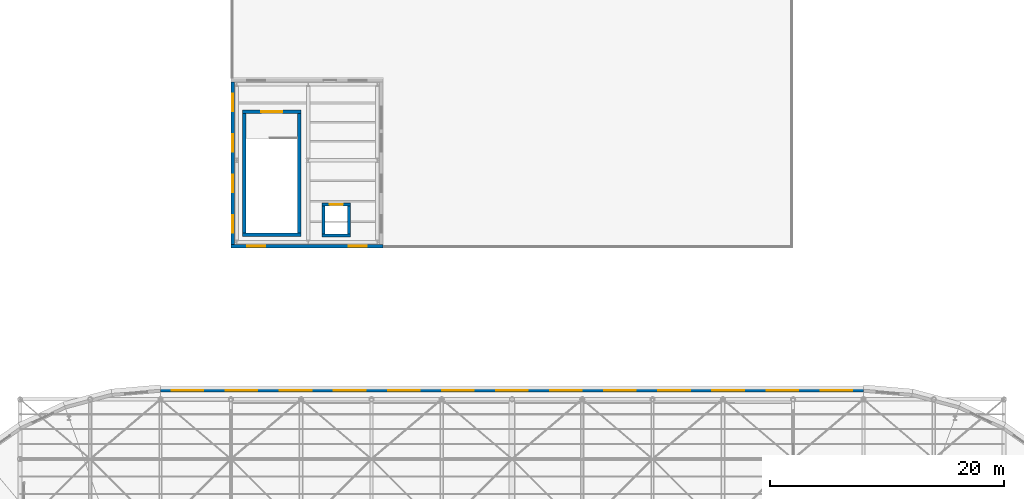
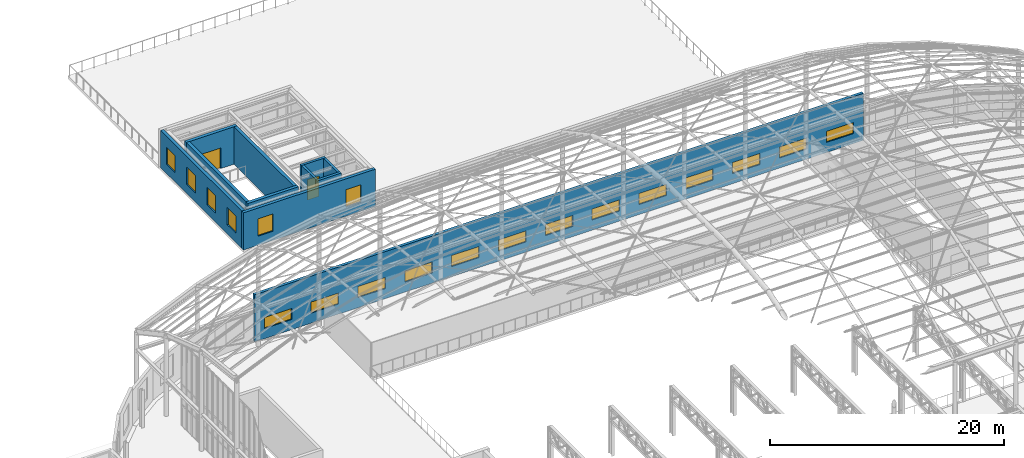
# One storey, part 65 of 75: 19 windows, 11 walls, 2 doors, 21 openings.
"""IFC4 building model written with IfcOpenShell, lengths in metres."""

from ifc_helpers import new_model, si_unit, direction, frame, frame_2d, origin, place, context, subcontext, project, spatial, rectangle, extrude, material, layer, layer_set, type_object, element, fill, save


model = new_model("IFC4")

# Units and contexts
model_context = context("Model", 3, precision=1e-05, world=origin(), true_north=direction((0.0, 1.0)))
body_context = subcontext(model_context, "Body", "Model", "MODEL_VIEW")
ifc_project = project(units=[si_unit("LENGTHUNIT", "METRE"), si_unit("AREAUNIT", "SQUARE_METRE"), si_unit("VOLUMEUNIT", "CUBIC_METRE"), si_unit("PLANEANGLEUNIT", "RADIAN"), si_unit("MASSUNIT", "GRAM", prefix="KILO")], contexts=[model_context])

# Site, building, storey
site_placement = place(None, origin())
site = spatial("IfcSite", under=ifc_project, at=site_placement, CompositionType="ELEMENT")
building_placement = place(site_placement, origin())
building = spatial("IfcBuilding", under=site, at=building_placement, Name="Kolvaren Corner Interchange", CompositionType="ELEMENT")
storey_placement = place(building_placement, frame((0.0, 0.0, 10.5)))
storey = spatial("IfcBuildingStorey", under=building, at=storey_placement, Name="L03", CompositionType="ELEMENT", Elevation=10.5)

# Wall
ifc_material_1 = material(Name="Concrete C35/45", Category="concrete")
ifc_layer_1 = layer(ifc_material_1, 0.31005859375)
ifc_layer_set_1 = layer_set([ifc_layer_1], Name="Concrete C35/45")
wall_type_1 = type_object("IfcWallType", Name="WL-STAIR-300", PredefinedType="SHEAR", material=ifc_layer_set_1)
wall_1_placement = place(storey_placement, frame((67.0, 85.155029296875, 0.0), z_axis=(0.0, 0.0, 1.0), x_axis=(1.0, 0.0, 0.0)))
element("IfcWall", 1, at=wall_1_placement, inside=storey, type_object=wall_type_1, Name="Cycle Hub West Pavilion Exit Stair L03 South Enclosure Wall", PredefinedType="SHEAR", context=body_context, shape_type="SweptSolid", body=[
    extrude(rectangle(XDim=5.0, YDim=0.31005859375, at=frame_2d((2.5, 0.0))), origin(), (0.0, 0.0, 1.0), 3.89990234375),
])

# Wall, opening, door
wall_2_placement = place(storey_placement, frame((67.0, 95.64501953125, 0.0), z_axis=(0.0, 0.0, 1.0), x_axis=(1.0, 0.0, 0.0)))
wall_2 = element("IfcWall", 2, at=wall_2_placement, inside=storey, type_object=wall_type_1, Name="Cycle Hub West Pavilion Exit Stair L03 North Enclosure Wall", PredefinedType="SHEAR", context=body_context, shape_type="SweptSolid", body=[
    extrude(rectangle(XDim=5.0, YDim=0.31005859375, at=frame_2d((2.5, 0.0))), origin(), (0.0, 0.0, 1.0), 3.89990234375),
])
opening_1_placement = place(wall_2_placement, frame((1.60009765625, 0.0, 0.0)))
opening_1 = element("IfcOpeningElement", 3, at=opening_1_placement, cuts=wall_2, Name="Opening D-F01", PredefinedType="OPENING", context=body_context, shape_type="SweptSolid", body=[
    extrude(rectangle(XDim=1.800048828125, YDim=2.14990234375, at=frame_2d((0.89990234375, 1.074951171875))), frame((0.0, 0.1650390625, 0.0), z_axis=(0.0, -1.0, 0.0), x_axis=(1.0, 0.0, 0.0)), (0.0, 0.0, 1.0), 0.330078125),
])
ifc_material_2 = material(Name="Powder-coated Fire-rated Steel Sheet", Category="steel")
door_type_1 = type_object("IfcDoorType", Name="DT-FD-1800x2150", OperationType="NOTDEFINED", PredefinedType="DOOR", material=ifc_material_2)
door_1_placement = place(opening_1_placement, origin())
door_1 = element("IfcDoor", 4, at=door_1_placement, inside=storey, type_object=door_type_1, Name="Cycle Hub West Pavilion Exit Stair L03 Protected Exit Door", OperationType="DOUBLE_DOOR_SINGLE_SWING", OverallHeight=2.14990234375, OverallWidth=1.800048828125, PredefinedType="DOOR", context=body_context, shape_type="SweptSolid", body=[
    extrude(rectangle(XDim=1.800048828125, YDim=2.14990234375, at=frame_2d((0.89990234375, 1.074951171875))), frame((0.0, 0.02490234375, 0.0), z_axis=(0.0, -1.0, 0.0), x_axis=(1.0, 0.0, 0.0)), (0.0, 0.0, 1.0), 0.050048828125),
])
fill(opening_1, door_1)

# Walls
for number, where, z_axis, x_axis, name in (
    (5, (67.155029296875, 85.31005859375, 0.0), (0.0, 0.0, 1.0), (0.0, 1.0, 0.0), "Cycle Hub West Pavilion Exit Stair L03 West Enclosure Wall"),
    (6, (71.844970703125, 85.31005859375, 0.0), (0.0, 0.0, 1.0), (0.0, 1.0, 0.0), "Cycle Hub West Pavilion Exit Stair L03 East Enclosure Wall"),
):
    element("IfcWall", number, at=place(storey_placement, frame(where, z_axis=z_axis, x_axis=x_axis)), inside=storey, type_object=wall_type_1, Name=name, PredefinedType="SHEAR", context=body_context, shape_type="SweptSolid", body=[
        extrude(rectangle(XDim=10.179931640625, YDim=0.31005859375, at=frame_2d((5.08984375, 0.0))), origin(), (0.0, 0.0, 1.0), 3.89990234375),
    ])

# Wall, openings, windows
ifc_material_3 = material(Name="Ochre Architectural Terracotta Rainscreen Assembly", Category="masonry")
ifc_layer_2 = layer(ifc_material_3, 0.300048828125)
ifc_layer_set_2 = layer_set([ifc_layer_2], Name="Ochre Architectural Terracotta Rainscreen Assembly")
wall_type_2 = type_object("IfcWallType", Name="WT-EXT-OCH300", PredefinedType="SOLIDWALL", material=ifc_layer_set_2)
wall_3_placement = place(storey_placement, frame((66.0, 84.159912109375, 0.0), z_axis=(0.0, 0.0, 1.0), x_axis=(1.0, 0.0, 0.0)))
wall_3 = element("IfcWall", 7, at=wall_3_placement, inside=storey, type_object=wall_type_2, Name="Cycle Roof Pavilion South Wall 0186", PredefinedType="SOLIDWALL", context=body_context, shape_type="SweptSolid", body=[
    extrude(rectangle(XDim=13.0, YDim=0.300048828125, at=frame_2d((6.5, 0.0))), origin(), (0.0, 0.0, 1.0), 3.8798828125),
])
opening_2_placement = place(wall_3_placement, frame((1.416748046875, 0.0, 0.949951171875)))
opening_2 = element("IfcOpeningElement", 8, at=opening_2_placement, cuts=wall_3, Name="Opening W-07", PredefinedType="OPENING", context=body_context, shape_type="SweptSolid", body=[
    extrude(rectangle(XDim=1.5, YDim=1.800048828125, at=frame_2d((0.75, 0.89990234375))), frame((0.0, 0.159912109375, 0.0), z_axis=(0.0, -1.0, 0.0), x_axis=(1.0, 0.0, 0.0)), (0.0, 0.0, 1.0), 0.320068359375),
])
opening_3_placement = place(wall_3_placement, frame((10.083251953125, 0.0, 0.949951171875)))
opening_3 = element("IfcOpeningElement", 9, at=opening_3_placement, cuts=wall_3, Name="Opening W-07", PredefinedType="OPENING", context=body_context, shape_type="SweptSolid", body=[
    extrude(rectangle(XDim=1.5, YDim=1.800048828125, at=frame_2d((0.75, 0.89990234375))), frame((0.0, 0.159912109375, 0.0), z_axis=(0.0, -1.0, 0.0), x_axis=(1.0, 0.0, 0.0)), (0.0, 0.0, 1.0), 0.320068359375),
])
ifc_material_4 = material(Name="Thermally Broken Aluminium and Solar-Control Double Glazing", Category="aluminium")
window_type_1 = type_object("IfcWindowType", Name="WT-CYC-1500x1800", PartitioningType="SINGLE_PANEL", PredefinedType="WINDOW", material=ifc_material_4)
window_1_placement = place(opening_2_placement, origin())
window_1 = element("IfcWindow", 10, at=window_1_placement, inside=storey, type_object=window_type_1, Name="L03 Cycle Roof Pavilion South Window 0293", OverallHeight=1.800048828125, OverallWidth=1.5, PartitioningType="SINGLE_PANEL", PredefinedType="WINDOW", context=body_context, shape_type="SweptSolid", body=[
    extrude(rectangle(XDim=1.5, YDim=1.800048828125, at=frame_2d((0.75, 0.89990234375))), frame((0.0, 0.030029296875, 0.0), z_axis=(0.0, -1.0, 0.0), x_axis=(1.0, 0.0, 0.0)), (0.0, 0.0, 1.0), 0.06005859375),
])
fill(opening_2, window_1)
window_2_placement = place(opening_3_placement, origin())
window_2 = element("IfcWindow", 11, at=window_2_placement, inside=storey, type_object=window_type_1, Name="L03 Cycle Roof Pavilion South Window 0294", OverallHeight=1.800048828125, OverallWidth=1.5, PartitioningType="SINGLE_PANEL", PredefinedType="WINDOW", context=body_context, shape_type="SweptSolid", body=[
    extrude(rectangle(XDim=1.5, YDim=1.800048828125, at=frame_2d((0.75, 0.89990234375))), frame((0.0, 0.030029296875, 0.0), z_axis=(0.0, -1.0, 0.0), x_axis=(1.0, 0.0, 0.0)), (0.0, 0.0, 1.0), 0.06005859375),
])
fill(opening_3, window_2)

wall_4_placement = place(storey_placement, frame((66.159912109375, 98.179931640625, 0.0), z_axis=(0.0, 0.0, 1.0), x_axis=(0.0, -1.0, 0.0)))
wall_4 = element("IfcWall", 12, at=wall_4_placement, inside=storey, type_object=wall_type_2, Name="Cycle Roof Pavilion West Wall 0189", PredefinedType="SOLIDWALL", context=body_context, shape_type="SweptSolid", body=[
    extrude(rectangle(XDim=13.85986328125, YDim=0.300048828125, at=frame_2d((6.929931640625, 0.0))), origin(), (0.0, 0.0, 1.0), 3.8798828125),
])
opening_4_placement = place(wall_4_placement, frame((0.982421875, 0.0, 0.949951171875)))
opening_4 = element("IfcOpeningElement", 13, at=opening_4_placement, cuts=wall_4, Name="Opening W-07", PredefinedType="OPENING", context=body_context, shape_type="SweptSolid", body=[
    extrude(rectangle(XDim=1.5, YDim=1.800048828125, at=frame_2d((0.75, 0.89990234375))), frame((0.0, 0.159912109375, 0.0), z_axis=(0.0, -1.0, 0.0), x_axis=(1.0, 0.0, 0.0)), (0.0, 0.0, 1.0), 0.320068359375),
])
opening_5_placement = place(wall_4_placement, frame((4.447509765625, 0.0, 0.949951171875)))
opening_5 = element("IfcOpeningElement", 14, at=opening_5_placement, cuts=wall_4, Name="Opening W-07", PredefinedType="OPENING", context=body_context, shape_type="SweptSolid", body=[
    extrude(rectangle(XDim=1.5, YDim=1.800048828125, at=frame_2d((0.75, 0.89990234375))), frame((0.0, 0.159912109375, 0.0), z_axis=(0.0, -1.0, 0.0), x_axis=(1.0, 0.0, 0.0)), (0.0, 0.0, 1.0), 0.320068359375),
])
opening_6_placement = place(wall_4_placement, frame((7.91259765625, 0.0, 0.949951171875)))
opening_6 = element("IfcOpeningElement", 15, at=opening_6_placement, cuts=wall_4, Name="Opening W-07", PredefinedType="OPENING", context=body_context, shape_type="SweptSolid", body=[
    extrude(rectangle(XDim=1.5, YDim=1.800048828125, at=frame_2d((0.75, 0.89990234375))), frame((0.0, 0.159912109375, 0.0), z_axis=(0.0, -1.0, 0.0), x_axis=(1.0, 0.0, 0.0)), (0.0, 0.0, 1.0), 0.320068359375),
])
opening_7_placement = place(wall_4_placement, frame((11.37744140625, 0.0, 0.949951171875)))
opening_7 = element("IfcOpeningElement", 16, at=opening_7_placement, cuts=wall_4, Name="Opening W-07", PredefinedType="OPENING", context=body_context, shape_type="SweptSolid", body=[
    extrude(rectangle(XDim=1.5, YDim=1.800048828125, at=frame_2d((0.75, 0.89990234375))), frame((0.0, 0.159912109375, 0.0), z_axis=(0.0, -1.0, 0.0), x_axis=(1.0, 0.0, 0.0)), (0.0, 0.0, 1.0), 0.320068359375),
])
window_3_placement = place(opening_4_placement, origin())
window_3 = element("IfcWindow", 17, at=window_3_placement, inside=storey, type_object=window_type_1, Name="L03 Cycle Roof Pavilion West Window 0300", OverallHeight=1.800048828125, OverallWidth=1.5, PartitioningType="SINGLE_PANEL", PredefinedType="WINDOW", context=body_context, shape_type="SweptSolid", body=[
    extrude(rectangle(XDim=1.5, YDim=1.800048828125, at=frame_2d((0.75, 0.89990234375))), frame((0.0, 0.030029296875, 0.0), z_axis=(0.0, -1.0, 0.0), x_axis=(1.0, 0.0, 0.0)), (0.0, 0.0, 1.0), 0.06005859375),
])
fill(opening_4, window_3)
window_4_placement = place(opening_5_placement, origin())
window_4 = element("IfcWindow", 18, at=window_4_placement, inside=storey, type_object=window_type_1, Name="L03 Cycle Roof Pavilion West Window 0301", OverallHeight=1.800048828125, OverallWidth=1.5, PartitioningType="SINGLE_PANEL", PredefinedType="WINDOW", context=body_context, shape_type="SweptSolid", body=[
    extrude(rectangle(XDim=1.5, YDim=1.800048828125, at=frame_2d((0.75, 0.89990234375))), frame((0.0, 0.030029296875, 0.0), z_axis=(0.0, -1.0, 0.0), x_axis=(1.0, 0.0, 0.0)), (0.0, 0.0, 1.0), 0.06005859375),
])
fill(opening_5, window_4)
window_5_placement = place(opening_6_placement, origin())
window_5 = element("IfcWindow", 19, at=window_5_placement, inside=storey, type_object=window_type_1, Name="L03 Cycle Roof Pavilion West Window 0302", OverallHeight=1.800048828125, OverallWidth=1.5, PartitioningType="SINGLE_PANEL", PredefinedType="WINDOW", context=body_context, shape_type="SweptSolid", body=[
    extrude(rectangle(XDim=1.5, YDim=1.800048828125, at=frame_2d((0.75, 0.89990234375))), frame((0.0, 0.030029296875, 0.0), z_axis=(0.0, -1.0, 0.0), x_axis=(1.0, 0.0, 0.0)), (0.0, 0.0, 1.0), 0.06005859375),
])
fill(opening_6, window_5)
window_6_placement = place(opening_7_placement, origin())
window_6 = element("IfcWindow", 20, at=window_6_placement, inside=storey, type_object=window_type_1, Name="L03 Cycle Roof Pavilion West Window 0303", OverallHeight=1.800048828125, OverallWidth=1.5, PartitioningType="SINGLE_PANEL", PredefinedType="WINDOW", context=body_context, shape_type="SweptSolid", body=[
    extrude(rectangle(XDim=1.5, YDim=1.800048828125, at=frame_2d((0.75, 0.89990234375))), frame((0.0, 0.030029296875, 0.0), z_axis=(0.0, -1.0, 0.0), x_axis=(1.0, 0.0, 0.0)), (0.0, 0.0, 1.0), 0.06005859375),
])
fill(opening_7, window_6)

ifc_material_5 = material(Name="White Glazed Ceramic Terracotta Band Assembly", Category="masonry")
ifc_layer_3 = layer(ifc_material_5, 0.280029296875)
ifc_layer_set_3 = layer_set([ifc_layer_3], Name="White Glazed Ceramic Terracotta Band Assembly")
wall_type_3 = type_object("IfcWallType", Name="WT-EXT-WHT280", PredefinedType="SOLIDWALL", material=ifc_layer_set_3)
wall_5_placement = place(storey_placement, frame((120.0, 71.840087890625, 0.0), z_axis=(0.0, 0.0, 1.0), x_axis=(-1.0, 0.0, 0.0)))
wall_5 = element("IfcWall", 21, at=wall_5_placement, inside=storey, type_object=wall_type_3, Name="Sky Gallery North Clerestory Wall 0167", PredefinedType="SOLIDWALL", context=body_context, shape_type="SweptSolid", body=[
    extrude(rectangle(XDim=60.0, YDim=0.280029296875, at=frame_2d((30.0, 0.0))), origin(), (0.0, 0.0, 1.0), 4.89990234375),
])
opening_8_placement = place(wall_5_placement, frame((0.957763671875, 0.0, 1.050048828125)))
opening_8 = element("IfcOpeningElement", 22, at=opening_8_placement, cuts=wall_5, Name="Opening W-23", PredefinedType="OPENING", context=body_context, shape_type="SweptSolid", body=[
    extrude(rectangle(XDim=2.699951171875, YDim=1.14990234375, at=frame_2d((1.35009765625, 0.574951171875))), frame((0.0, 0.14990234375, 0.0), z_axis=(0.0, -1.0, 0.0), x_axis=(1.0, 0.0, 0.0)), (0.0, 0.0, 1.0), 0.300048828125),
])
opening_9_placement = place(wall_5_placement, frame((5.572998046875, 0.0, 1.050048828125)))
opening_9 = element("IfcOpeningElement", 23, at=opening_9_placement, cuts=wall_5, Name="Opening W-23", PredefinedType="OPENING", context=body_context, shape_type="SweptSolid", body=[
    extrude(rectangle(XDim=2.699951171875, YDim=1.14990234375, at=frame_2d((1.35009765625, 0.574951171875))), frame((0.0, 0.14990234375, 0.0), z_axis=(0.0, -1.0, 0.0), x_axis=(1.0, 0.0, 0.0)), (0.0, 0.0, 1.0), 0.300048828125),
])
opening_10_placement = place(wall_5_placement, frame((10.1884765625, 0.0, 1.050048828125)))
opening_10 = element("IfcOpeningElement", 24, at=opening_10_placement, cuts=wall_5, Name="Opening W-23", PredefinedType="OPENING", context=body_context, shape_type="SweptSolid", body=[
    extrude(rectangle(XDim=2.699951171875, YDim=1.14990234375, at=frame_2d((1.35009765625, 0.574951171875))), frame((0.0, 0.14990234375, 0.0), z_axis=(0.0, -1.0, 0.0), x_axis=(1.0, 0.0, 0.0)), (0.0, 0.0, 1.0), 0.300048828125),
])
opening_11_placement = place(wall_5_placement, frame((14.8037109375, 0.0, 1.050048828125)))
opening_11 = element("IfcOpeningElement", 25, at=opening_11_placement, cuts=wall_5, Name="Opening W-23", PredefinedType="OPENING", context=body_context, shape_type="SweptSolid", body=[
    extrude(rectangle(XDim=2.699951171875, YDim=1.14990234375, at=frame_2d((1.35009765625, 0.574951171875))), frame((0.0, 0.14990234375, 0.0), z_axis=(0.0, -1.0, 0.0), x_axis=(1.0, 0.0, 0.0)), (0.0, 0.0, 1.0), 0.300048828125),
])
opening_12_placement = place(wall_5_placement, frame((19.419189453125, 0.0, 1.050048828125)))
opening_12 = element("IfcOpeningElement", 26, at=opening_12_placement, cuts=wall_5, Name="Opening W-23", PredefinedType="OPENING", context=body_context, shape_type="SweptSolid", body=[
    extrude(rectangle(XDim=2.699951171875, YDim=1.14990234375, at=frame_2d((1.35009765625, 0.574951171875))), frame((0.0, 0.14990234375, 0.0), z_axis=(0.0, -1.0, 0.0), x_axis=(1.0, 0.0, 0.0)), (0.0, 0.0, 1.0), 0.300048828125),
])
opening_13_placement = place(wall_5_placement, frame((24.03466796875, 0.0, 1.050048828125)))
opening_13 = element("IfcOpeningElement", 27, at=opening_13_placement, cuts=wall_5, Name="Opening W-23", PredefinedType="OPENING", context=body_context, shape_type="SweptSolid", body=[
    extrude(rectangle(XDim=2.699951171875, YDim=1.14990234375, at=frame_2d((1.35009765625, 0.574951171875))), frame((0.0, 0.14990234375, 0.0), z_axis=(0.0, -1.0, 0.0), x_axis=(1.0, 0.0, 0.0)), (0.0, 0.0, 1.0), 0.300048828125),
])
opening_14_placement = place(wall_5_placement, frame((28.64990234375, 0.0, 1.050048828125)))
opening_14 = element("IfcOpeningElement", 28, at=opening_14_placement, cuts=wall_5, Name="Opening W-23", PredefinedType="OPENING", context=body_context, shape_type="SweptSolid", body=[
    extrude(rectangle(XDim=2.699951171875, YDim=1.14990234375, at=frame_2d((1.35009765625, 0.574951171875))), frame((0.0, 0.14990234375, 0.0), z_axis=(0.0, -1.0, 0.0), x_axis=(1.0, 0.0, 0.0)), (0.0, 0.0, 1.0), 0.300048828125),
])
opening_15_placement = place(wall_5_placement, frame((33.265380859375, 0.0, 1.050048828125)))
opening_15 = element("IfcOpeningElement", 29, at=opening_15_placement, cuts=wall_5, Name="Opening W-23", PredefinedType="OPENING", context=body_context, shape_type="SweptSolid", body=[
    extrude(rectangle(XDim=2.699951171875, YDim=1.14990234375, at=frame_2d((1.35009765625, 0.574951171875))), frame((0.0, 0.14990234375, 0.0), z_axis=(0.0, -1.0, 0.0), x_axis=(1.0, 0.0, 0.0)), (0.0, 0.0, 1.0), 0.300048828125),
])
opening_16_placement = place(wall_5_placement, frame((37.880859375, 0.0, 1.050048828125)))
opening_16 = element("IfcOpeningElement", 30, at=opening_16_placement, cuts=wall_5, Name="Opening W-23", PredefinedType="OPENING", context=body_context, shape_type="SweptSolid", body=[
    extrude(rectangle(XDim=2.699951171875, YDim=1.14990234375, at=frame_2d((1.35009765625, 0.574951171875))), frame((0.0, 0.14990234375, 0.0), z_axis=(0.0, -1.0, 0.0), x_axis=(1.0, 0.0, 0.0)), (0.0, 0.0, 1.0), 0.300048828125),
])
opening_17_placement = place(wall_5_placement, frame((42.49609375, 0.0, 1.050048828125)))
opening_17 = element("IfcOpeningElement", 31, at=opening_17_placement, cuts=wall_5, Name="Opening W-23", PredefinedType="OPENING", context=body_context, shape_type="SweptSolid", body=[
    extrude(rectangle(XDim=2.699951171875, YDim=1.14990234375, at=frame_2d((1.35009765625, 0.574951171875))), frame((0.0, 0.14990234375, 0.0), z_axis=(0.0, -1.0, 0.0), x_axis=(1.0, 0.0, 0.0)), (0.0, 0.0, 1.0), 0.300048828125),
])
opening_18_placement = place(wall_5_placement, frame((47.111572265625, 0.0, 1.050048828125)))
opening_18 = element("IfcOpeningElement", 32, at=opening_18_placement, cuts=wall_5, Name="Opening W-23", PredefinedType="OPENING", context=body_context, shape_type="SweptSolid", body=[
    extrude(rectangle(XDim=2.699951171875, YDim=1.14990234375, at=frame_2d((1.35009765625, 0.574951171875))), frame((0.0, 0.14990234375, 0.0), z_axis=(0.0, -1.0, 0.0), x_axis=(1.0, 0.0, 0.0)), (0.0, 0.0, 1.0), 0.300048828125),
])
opening_19_placement = place(wall_5_placement, frame((51.726806640625, 0.0, 1.050048828125)))
opening_19 = element("IfcOpeningElement", 33, at=opening_19_placement, cuts=wall_5, Name="Opening W-23", PredefinedType="OPENING", context=body_context, shape_type="SweptSolid", body=[
    extrude(rectangle(XDim=2.699951171875, YDim=1.14990234375, at=frame_2d((1.35009765625, 0.574951171875))), frame((0.0, 0.14990234375, 0.0), z_axis=(0.0, -1.0, 0.0), x_axis=(1.0, 0.0, 0.0)), (0.0, 0.0, 1.0), 0.300048828125),
])
opening_20_placement = place(wall_5_placement, frame((56.34228515625, 0.0, 1.050048828125)))
opening_20 = element("IfcOpeningElement", 34, at=opening_20_placement, cuts=wall_5, Name="Opening W-23", PredefinedType="OPENING", context=body_context, shape_type="SweptSolid", body=[
    extrude(rectangle(XDim=2.699951171875, YDim=1.14990234375, at=frame_2d((1.35009765625, 0.574951171875))), frame((0.0, 0.14990234375, 0.0), z_axis=(0.0, -1.0, 0.0), x_axis=(1.0, 0.0, 0.0)), (0.0, 0.0, 1.0), 0.300048828125),
])
ifc_material_6 = material(Name="Thermally Broken Aluminium and Solar-Control Double Glazing", Category="aluminium")
window_type_2 = type_object("IfcWindowType", Name="WT-CLER-2700x1150", PartitioningType="TRIPLE_PANEL_HORIZONTAL", PredefinedType="WINDOW", material=ifc_material_6)
window_7_placement = place(opening_8_placement, origin())
window_7 = element("IfcWindow", 35, at=window_7_placement, inside=storey, type_object=window_type_2, Name="L03 Sky Gallery North Clerestory Window 0232", OverallHeight=1.14990234375, OverallWidth=2.699951171875, PartitioningType="SINGLE_PANEL", PredefinedType="WINDOW", context=body_context, shape_type="SweptSolid", body=[
    extrude(rectangle(XDim=2.699951171875, YDim=1.14990234375, at=frame_2d((1.35009765625, 0.574951171875))), frame((0.0, 0.030029296875, 0.0), z_axis=(0.0, -1.0, 0.0), x_axis=(1.0, 0.0, 0.0)), (0.0, 0.0, 1.0), 0.06005859375),
])
fill(opening_8, window_7)
window_8_placement = place(opening_9_placement, origin())
window_8 = element("IfcWindow", 36, at=window_8_placement, inside=storey, type_object=window_type_2, Name="L03 Sky Gallery North Clerestory Window 0233", OverallHeight=1.14990234375, OverallWidth=2.699951171875, PartitioningType="SINGLE_PANEL", PredefinedType="WINDOW", context=body_context, shape_type="SweptSolid", body=[
    extrude(rectangle(XDim=2.699951171875, YDim=1.14990234375, at=frame_2d((1.35009765625, 0.574951171875))), frame((0.0, 0.030029296875, 0.0), z_axis=(0.0, -1.0, 0.0), x_axis=(1.0, 0.0, 0.0)), (0.0, 0.0, 1.0), 0.06005859375),
])
fill(opening_9, window_8)
window_9_placement = place(opening_10_placement, origin())
window_9 = element("IfcWindow", 37, at=window_9_placement, inside=storey, type_object=window_type_2, Name="L03 Sky Gallery North Clerestory Window 0234", OverallHeight=1.14990234375, OverallWidth=2.699951171875, PartitioningType="SINGLE_PANEL", PredefinedType="WINDOW", context=body_context, shape_type="SweptSolid", body=[
    extrude(rectangle(XDim=2.699951171875, YDim=1.14990234375, at=frame_2d((1.35009765625, 0.574951171875))), frame((0.0, 0.030029296875, 0.0), z_axis=(0.0, -1.0, 0.0), x_axis=(1.0, 0.0, 0.0)), (0.0, 0.0, 1.0), 0.06005859375),
])
fill(opening_10, window_9)
window_10_placement = place(opening_11_placement, origin())
window_10 = element("IfcWindow", 38, at=window_10_placement, inside=storey, type_object=window_type_2, Name="L03 Sky Gallery North Clerestory Window 0235", OverallHeight=1.14990234375, OverallWidth=2.699951171875, PartitioningType="SINGLE_PANEL", PredefinedType="WINDOW", context=body_context, shape_type="SweptSolid", body=[
    extrude(rectangle(XDim=2.699951171875, YDim=1.14990234375, at=frame_2d((1.35009765625, 0.574951171875))), frame((0.0, 0.030029296875, 0.0), z_axis=(0.0, -1.0, 0.0), x_axis=(1.0, 0.0, 0.0)), (0.0, 0.0, 1.0), 0.06005859375),
])
fill(opening_11, window_10)
window_11_placement = place(opening_12_placement, origin())
window_11 = element("IfcWindow", 39, at=window_11_placement, inside=storey, type_object=window_type_2, Name="L03 Sky Gallery North Clerestory Window 0236", OverallHeight=1.14990234375, OverallWidth=2.699951171875, PartitioningType="SINGLE_PANEL", PredefinedType="WINDOW", context=body_context, shape_type="SweptSolid", body=[
    extrude(rectangle(XDim=2.699951171875, YDim=1.14990234375, at=frame_2d((1.35009765625, 0.574951171875))), frame((0.0, 0.030029296875, 0.0), z_axis=(0.0, -1.0, 0.0), x_axis=(1.0, 0.0, 0.0)), (0.0, 0.0, 1.0), 0.06005859375),
])
fill(opening_12, window_11)
window_12_placement = place(opening_13_placement, origin())
window_12 = element("IfcWindow", 40, at=window_12_placement, inside=storey, type_object=window_type_2, Name="L03 Sky Gallery North Clerestory Window 0237", OverallHeight=1.14990234375, OverallWidth=2.699951171875, PartitioningType="SINGLE_PANEL", PredefinedType="WINDOW", context=body_context, shape_type="SweptSolid", body=[
    extrude(rectangle(XDim=2.699951171875, YDim=1.14990234375, at=frame_2d((1.35009765625, 0.574951171875))), frame((0.0, 0.030029296875, 0.0), z_axis=(0.0, -1.0, 0.0), x_axis=(1.0, 0.0, 0.0)), (0.0, 0.0, 1.0), 0.06005859375),
])
fill(opening_13, window_12)
window_13_placement = place(opening_14_placement, origin())
window_13 = element("IfcWindow", 41, at=window_13_placement, inside=storey, type_object=window_type_2, Name="L03 Sky Gallery North Clerestory Window 0238", OverallHeight=1.14990234375, OverallWidth=2.699951171875, PartitioningType="SINGLE_PANEL", PredefinedType="WINDOW", context=body_context, shape_type="SweptSolid", body=[
    extrude(rectangle(XDim=2.699951171875, YDim=1.14990234375, at=frame_2d((1.35009765625, 0.574951171875))), frame((0.0, 0.030029296875, 0.0), z_axis=(0.0, -1.0, 0.0), x_axis=(1.0, 0.0, 0.0)), (0.0, 0.0, 1.0), 0.06005859375),
])
fill(opening_14, window_13)
window_14_placement = place(opening_15_placement, origin())
window_14 = element("IfcWindow", 42, at=window_14_placement, inside=storey, type_object=window_type_2, Name="L03 Sky Gallery North Clerestory Window 0239", OverallHeight=1.14990234375, OverallWidth=2.699951171875, PartitioningType="SINGLE_PANEL", PredefinedType="WINDOW", context=body_context, shape_type="SweptSolid", body=[
    extrude(rectangle(XDim=2.699951171875, YDim=1.14990234375, at=frame_2d((1.35009765625, 0.574951171875))), frame((0.0, 0.030029296875, 0.0), z_axis=(0.0, -1.0, 0.0), x_axis=(1.0, 0.0, 0.0)), (0.0, 0.0, 1.0), 0.06005859375),
])
fill(opening_15, window_14)
window_15_placement = place(opening_16_placement, origin())
window_15 = element("IfcWindow", 43, at=window_15_placement, inside=storey, type_object=window_type_2, Name="L03 Sky Gallery North Clerestory Window 0240", OverallHeight=1.14990234375, OverallWidth=2.699951171875, PartitioningType="SINGLE_PANEL", PredefinedType="WINDOW", context=body_context, shape_type="SweptSolid", body=[
    extrude(rectangle(XDim=2.699951171875, YDim=1.14990234375, at=frame_2d((1.35009765625, 0.574951171875))), frame((0.0, 0.030029296875, 0.0), z_axis=(0.0, -1.0, 0.0), x_axis=(1.0, 0.0, 0.0)), (0.0, 0.0, 1.0), 0.06005859375),
])
fill(opening_16, window_15)
window_16_placement = place(opening_17_placement, origin())
window_16 = element("IfcWindow", 44, at=window_16_placement, inside=storey, type_object=window_type_2, Name="L03 Sky Gallery North Clerestory Window 0241", OverallHeight=1.14990234375, OverallWidth=2.699951171875, PartitioningType="SINGLE_PANEL", PredefinedType="WINDOW", context=body_context, shape_type="SweptSolid", body=[
    extrude(rectangle(XDim=2.699951171875, YDim=1.14990234375, at=frame_2d((1.35009765625, 0.574951171875))), frame((0.0, 0.030029296875, 0.0), z_axis=(0.0, -1.0, 0.0), x_axis=(1.0, 0.0, 0.0)), (0.0, 0.0, 1.0), 0.06005859375),
])
fill(opening_17, window_16)
window_17_placement = place(opening_18_placement, origin())
window_17 = element("IfcWindow", 45, at=window_17_placement, inside=storey, type_object=window_type_2, Name="L03 Sky Gallery North Clerestory Window 0242", OverallHeight=1.14990234375, OverallWidth=2.699951171875, PartitioningType="SINGLE_PANEL", PredefinedType="WINDOW", context=body_context, shape_type="SweptSolid", body=[
    extrude(rectangle(XDim=2.699951171875, YDim=1.14990234375, at=frame_2d((1.35009765625, 0.574951171875))), frame((0.0, 0.030029296875, 0.0), z_axis=(0.0, -1.0, 0.0), x_axis=(1.0, 0.0, 0.0)), (0.0, 0.0, 1.0), 0.06005859375),
])
fill(opening_18, window_17)
window_18_placement = place(opening_19_placement, origin())
window_18 = element("IfcWindow", 46, at=window_18_placement, inside=storey, type_object=window_type_2, Name="L03 Sky Gallery North Clerestory Window 0243", OverallHeight=1.14990234375, OverallWidth=2.699951171875, PartitioningType="SINGLE_PANEL", PredefinedType="WINDOW", context=body_context, shape_type="SweptSolid", body=[
    extrude(rectangle(XDim=2.699951171875, YDim=1.14990234375, at=frame_2d((1.35009765625, 0.574951171875))), frame((0.0, 0.030029296875, 0.0), z_axis=(0.0, -1.0, 0.0), x_axis=(1.0, 0.0, 0.0)), (0.0, 0.0, 1.0), 0.06005859375),
])
fill(opening_19, window_18)
window_19_placement = place(opening_20_placement, origin())
window_19 = element("IfcWindow", 47, at=window_19_placement, inside=storey, type_object=window_type_2, Name="L03 Sky Gallery North Clerestory Window 0244", OverallHeight=1.14990234375, OverallWidth=2.699951171875, PartitioningType="SINGLE_PANEL", PredefinedType="WINDOW", context=body_context, shape_type="SweptSolid", body=[
    extrude(rectangle(XDim=2.699951171875, YDim=1.14990234375, at=frame_2d((1.35009765625, 0.574951171875))), frame((0.0, 0.030029296875, 0.0), z_axis=(0.0, -1.0, 0.0), x_axis=(1.0, 0.0, 0.0)), (0.0, 0.0, 1.0), 0.06005859375),
])
fill(opening_20, window_19)

# Wall
ifc_material_7 = material(Name="Concrete C35/45", Category="concrete")
ifc_layer_4 = layer(ifc_material_7, 0.25)
ifc_layer_set_4 = layer_set([ifc_layer_4], Name="Concrete C35/45")
wall_type_4 = type_object("IfcWallType", Name="WT-SHAFT-RC250", PredefinedType="SHEAR", material=ifc_layer_set_4)
wall_6_placement = place(storey_placement, frame((73.800048828125, 85.074951171875, 0.0), z_axis=(0.0, 0.0, 1.0), x_axis=(1.0, 0.0, 0.0)))
element("IfcWall", 48, at=wall_6_placement, inside=storey, type_object=wall_type_4, Name="Cycle Lift L03 South Shaft Wall", PredefinedType="SHEAR", context=body_context, shape_type="SweptSolid", body=[
    extrude(rectangle(XDim=2.39990234375, YDim=0.25, at=frame_2d((1.199951171875, 0.0))), origin(), (0.0, 0.0, 1.0), 3.89990234375),
])

# Wall, opening, door
wall_7_placement = place(storey_placement, frame((73.800048828125, 87.72509765625, 0.0), z_axis=(0.0, 0.0, 1.0), x_axis=(1.0, 0.0, 0.0)))
wall_7 = element("IfcWall", 49, at=wall_7_placement, inside=storey, type_object=wall_type_4, Name="Cycle Lift L03 North Shaft Wall", PredefinedType="SHEAR", context=body_context, shape_type="SweptSolid", body=[
    extrude(rectangle(XDim=2.39990234375, YDim=0.25, at=frame_2d((1.199951171875, 0.0))), origin(), (0.0, 0.0, 1.0), 3.89990234375),
])
opening_21_placement = place(wall_7_placement, frame((0.639892578125, 0.0, 0.0)))
opening_21 = element("IfcOpeningElement", 50, at=opening_21_placement, cuts=wall_7, Name="Opening LD-LF-P4-L03", PredefinedType="OPENING", context=body_context, shape_type="SweptSolid", body=[
    extrude(rectangle(XDim=1.1201171875, YDim=2.14990234375, at=frame_2d((0.56005859375, 1.074951171875))), frame((0.0, 0.135009765625, 0.0), z_axis=(0.0, -1.0, 0.0), x_axis=(1.0, 0.0, 0.0)), (0.0, 0.0, 1.0), 0.27001953125),
])
ifc_material_8 = material(Name="Brushed Stainless Steel Landing Door", Category="steel")
door_type_2 = type_object("IfcDoorType", Name="DT-LIFT-1120", OperationType="NOTDEFINED", PredefinedType="DOOR", material=ifc_material_8)
door_2_placement = place(opening_21_placement, origin())
door_2 = element("IfcDoor", 51, at=door_2_placement, inside=storey, type_object=door_type_2, Name="Cycle Hub Lift LF P4 L03 Sliding Landing Door", OperationType="SLIDING_TO_LEFT", OverallHeight=2.14990234375, OverallWidth=1.1201171875, PredefinedType="DOOR", context=body_context, shape_type="SweptSolid", body=[
    extrude(rectangle(XDim=1.1201171875, YDim=2.14990234375, at=frame_2d((0.56005859375, 1.074951171875))), frame((0.0, 0.02490234375, 0.0), z_axis=(0.0, -1.0, 0.0), x_axis=(1.0, 0.0, 0.0)), (0.0, 0.0, 1.0), 0.050048828125),
])
fill(opening_21, door_2)

# Walls
for number, where, z_axis, x_axis, name in (
    (52, (73.925048828125, 85.199951171875, 0.0), (0.0, 0.0, 1.0), (0.0, 1.0, 0.0), "Cycle Lift L03 West Shaft Wall"),
    (53, (76.074951171875, 85.199951171875, 0.0), (0.0, 0.0, 1.0), (0.0, 1.0, 0.0), "Cycle Lift L03 East Shaft Wall"),
):
    element("IfcWall", number, at=place(storey_placement, frame(where, z_axis=z_axis, x_axis=x_axis)), inside=storey, type_object=wall_type_4, Name=name, PredefinedType="SHEAR", context=body_context, shape_type="SweptSolid", body=[
        extrude(rectangle(XDim=2.400146484375, YDim=0.25, at=frame_2d((1.2001953125, 0.0))), origin(), (0.0, 0.0, 1.0), 3.89990234375),
    ])

save(model, "model.ifc")
